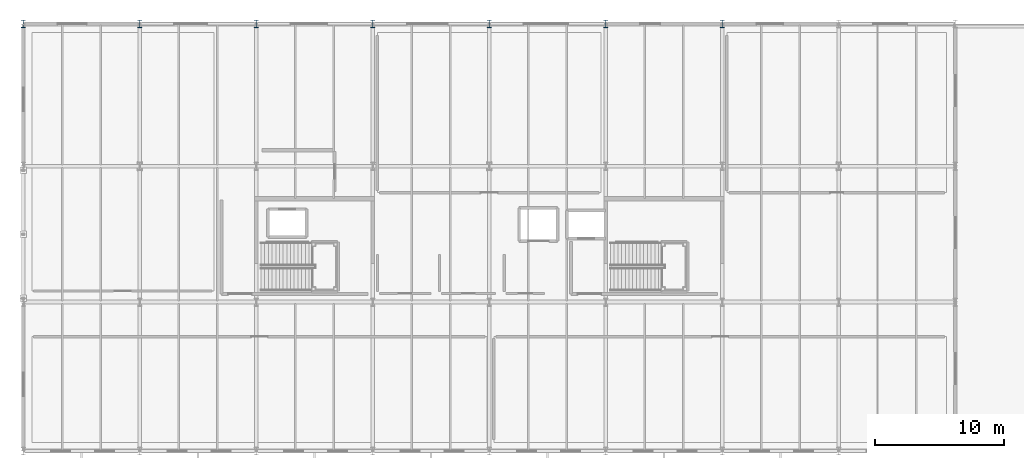
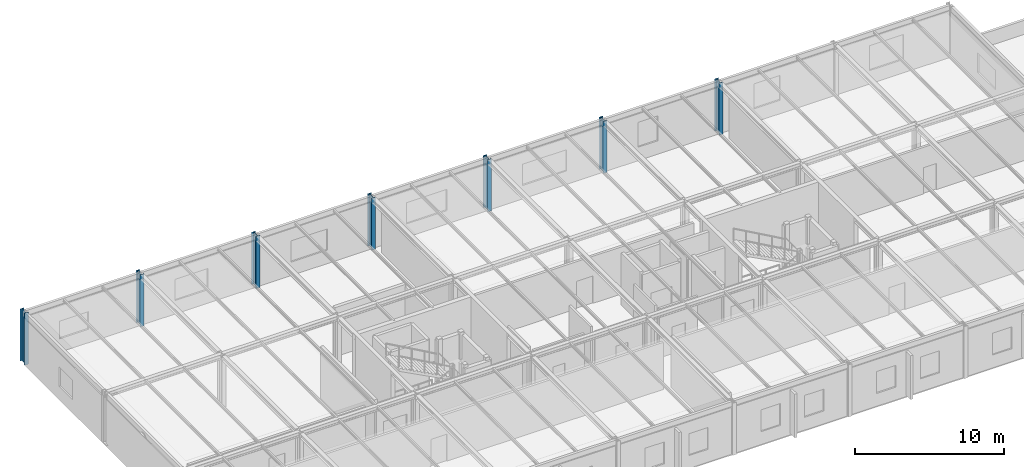
# One storey, part 12 of 105: 7 columns.
"""IFC4 building model written with IfcOpenShell, lengths in metres."""

from ifc_helpers import new_model, si_unit, direction, frame, origin, origin_2d, place, context, subcontext, project, spatial, i_section, extrude, material, material_profile, profile_set, type_object, element, save


model = new_model("IFC4")

# Units and contexts
model_context = context("Model", 3, precision=1e-05, world=origin(), true_north=direction((0.0, 1.0)))
body_context = subcontext(model_context, "Body", "Model", "MODEL_VIEW")
ifc_project = project(units=[si_unit("LENGTHUNIT", "METRE"), si_unit("AREAUNIT", "SQUARE_METRE"), si_unit("VOLUMEUNIT", "CUBIC_METRE"), si_unit("PLANEANGLEUNIT", "RADIAN"), si_unit("MASSUNIT", "GRAM", prefix="KILO")], contexts=[model_context])

# Site, building, storey
site_placement = place(None, origin())
site = spatial("IfcSite", under=ifc_project, at=site_placement, CompositionType="ELEMENT")
building_placement = place(site_placement, origin())
building = spatial("IfcBuilding", under=site, at=building_placement, Name="Marlcrest Central Station", CompositionType="ELEMENT")
storey_placement = place(building_placement, frame((0.0, 0.0, 15.0)))
storey = spatial("IfcBuildingStorey", under=building, at=storey_placement, Name="L03", CompositionType="ELEMENT", Elevation=15.0)

# Columns
ifc_material = material(Name="Steel S355", Category="steel")
ifc_material_profile = material_profile(ifc_material, i_section(OverallWidth=0.300048828125, OverallDepth=0.60009765625, WebThickness=0.015380859375, FlangeThickness=0.030029296875, FilletRadius=0.027099609375, at=origin_2d()), Name="HEB 600")
ifc_profile_set = profile_set([ifc_material_profile], Name="Steel S355")
column_type = type_object("IfcColumnType", Name="SC-05", PredefinedType="COLUMN", material=ifc_profile_set)
for number, where, z_axis, x_axis, name in (
    (1, (0.0, 132.0, 0.0), (0.0, 0.0, 1.0), (1.0, 0.0, 0.0), "col-SC-05-L03-0160"),
    (2, (9.0, 132.0, 0.0), (0.0, 0.0, 1.0), (1.0, 0.0, 0.0), "col-SC-05-L03-0164"),
    (3, (18.0, 132.0, 0.0), (0.0, 0.0, 1.0), (1.0, 0.0, 0.0), "col-SC-05-L03-0168"),
    (4, (27.0, 132.0, 0.0), (0.0, 0.0, 1.0), (1.0, 0.0, 0.0), "col-SC-05-L03-0172"),
    (5, (36.0, 132.0, 0.0), (0.0, 0.0, 1.0), (1.0, 0.0, 0.0), "col-SC-05-L03-0176"),
    (6, (45.0, 132.0, 0.0), (0.0, 0.0, 1.0), (1.0, 0.0, 0.0), "col-SC-05-L03-0180"),
    (7, (54.0, 132.0, 0.0), (0.0, 0.0, 1.0), (1.0, 0.0, 0.0), "col-SC-05-L03-0184"),
):
    element("IfcColumn", number, at=place(storey_placement, frame(where, z_axis=z_axis, x_axis=x_axis)), inside=storey, type_object=column_type, Name=name, PredefinedType="COLUMN", context=body_context, shape_type="SweptSolid", body=[
        extrude(i_section(OverallWidth=0.300048828125, OverallDepth=0.60009765625, WebThickness=0.015380859375, FlangeThickness=0.030029296875, FilletRadius=0.027099609375, at=origin_2d()), origin(), (0.0, 0.0, 1.0), 4.284912109375),
    ])

save(model, "model.ifc")
